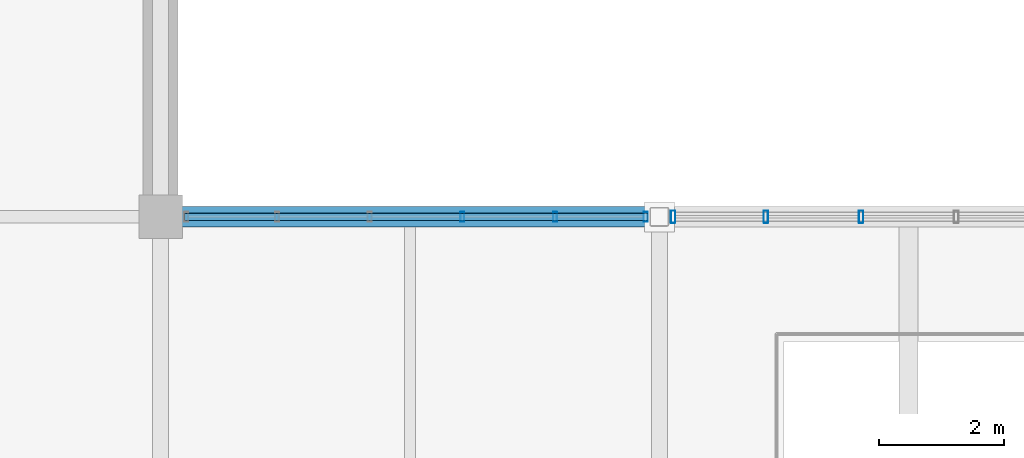
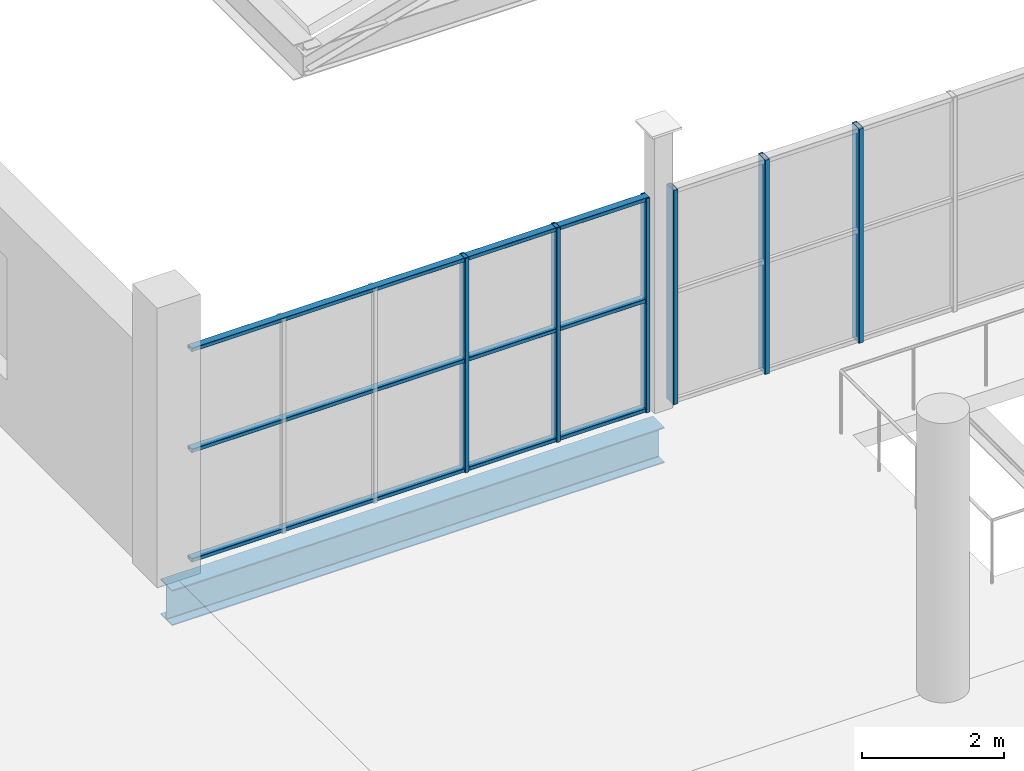
# One storey, part 22 of 114: 9 members, 1 beam, 2 elements without a shape of their own.
"""IFC4 building model written with IfcOpenShell, lengths in metres."""

import ifcopenshell
import ifcopenshell.guid

model = None  # the IFC model being written
_history = None  # IfcOwnerHistory: only IFC2X3 demands one
_inside = {}  # id of a spatial element -> (the spatial element, [elements in it])
_under = {}  # id of a project, library or spatial element -> (it, [spatial elements below it])
_declared = {}  # id of a project -> (the project, [libraries it declares])
_typed = {}  # id of a type object -> (the type object, [elements of that type])
_made_of = {}  # id of a material, layer set ... -> (it, [elements and type objects made of it])


def new_model(schema):
    """Start an empty IFC model of exactly this schema.

    Asked for "IFC4X3", IfcOpenShell would pick the latest addendum, in which some entities
    have other attributes; the version numbers below select the first issue.
    IFC2X3 requires an IfcOwnerHistory on every rooted entity: one is made here for all.
    """
    global model, _history
    if schema == "IFC4X3":
        model = ifcopenshell.file(schema_version=(4, 3, 0, 0))
    else:
        model = ifcopenshell.file(schema=schema)
    _inside.clear()
    _under.clear()
    _declared.clear()
    _typed.clear()
    _made_of.clear()
    _history = None
    if model.schema == "IFC2X3":
        org = make("IfcOrganization", Name="unknown")
        user = make(
            "IfcPersonAndOrganization",
            ThePerson=make("IfcPerson", FamilyName="unknown"),
            TheOrganization=org,
        )
        app = make(
            "IfcApplication",
            ApplicationDeveloper=org,
            Version="unknown",
            ApplicationFullName="unknown",
            ApplicationIdentifier="unknown",
        )
        _history = make(
            "IfcOwnerHistory",
            OwningUser=user,
            OwningApplication=app,
            ChangeAction="ADDED",
            CreationDate=0,
        )
    return model


def make(cls, **values):
    """One entity of the class cls with the attributes given. An attribute that is None is left unset."""
    return model.create_entity(
        cls, **{name: value for name, value in values.items() if value is not None}
    )


def rooted(cls, **values):
    """An entity with a GlobalId (a new one), such as an element, a storey or a relation."""
    return make(cls, GlobalId=ifcopenshell.guid.new(), OwnerHistory=_history, **values)


def si_unit(unit_type, name, prefix=None):
    """IfcSIUnit, for example si_unit("LENGTHUNIT", "METRE", prefix="MILLI")."""
    return make("IfcSIUnit", UnitType=unit_type, Prefix=prefix, Name=name)


def assignment(units):
    """IfcUnitAssignment: the units of a project."""
    return None if units is None else make("IfcUnitAssignment", Units=units)


def point(xyz):
    """IfcCartesianPoint."""
    return None if xyz is None else make("IfcCartesianPoint", Coordinates=xyz)


def direction(xyz):
    """IfcDirection."""
    return None if xyz is None else make("IfcDirection", DirectionRatios=xyz)


def frame(location, z_axis=None, x_axis=None):
    """IfcAxis2Placement3D, a coordinate frame: its origin and axes. An axis left out is left unset."""
    return make(
        "IfcAxis2Placement3D",
        Location=point(location),
        Axis=direction(z_axis),
        RefDirection=direction(x_axis),
    )


def frame_2d(location, x_axis=None):
    """IfcAxis2Placement2D, a coordinate frame in the plane: its origin and x axis."""
    return make(
        "IfcAxis2Placement2D", Location=point(location), RefDirection=direction(x_axis)
    )


def origin():
    """The frame at (0, 0, 0) with its axes left unset."""
    return frame((0.0, 0.0, 0.0))


def origin_2d():
    """The frame at (0, 0) in the plane with its x axis left unset."""
    return frame_2d((0.0, 0.0))


def place(relative_to, where):
    """IfcLocalPlacement: puts the frame where relative to a parent placement (None: the world)."""
    return make(
        "IfcLocalPlacement", PlacementRelTo=relative_to, RelativePlacement=where
    )


def context(
    kind, dimensions, precision=None, world=None, true_north=None, identifier=None
):
    """IfcGeometricRepresentationContext, for example the 3D "Model" context."""
    return make(
        "IfcGeometricRepresentationContext",
        ContextIdentifier=identifier,
        ContextType=kind,
        CoordinateSpaceDimension=dimensions,
        Precision=precision,
        WorldCoordinateSystem=world,
        TrueNorth=true_north,
    )


def subcontext(parent, identifier, kind, view, scale=None):
    """IfcGeometricRepresentationSubContext, for example "Body" below "Model"."""
    return make(
        "IfcGeometricRepresentationSubContext",
        ContextIdentifier=identifier,
        ContextType=kind,
        ParentContext=parent,
        TargetScale=scale,
        TargetView=view,
    )


def project(units=None, contexts=None):
    """IfcProject with its units and contexts."""
    return rooted(
        "IfcProject",
        Name="project",
        RepresentationContexts=contexts,
        UnitsInContext=assignment(units),
    )


def spatial(cls, under=None, at=None, **own):
    """A site, building, storey or space (cls), placed at a placement, below another one or the project."""
    s = rooted(cls, ObjectPlacement=at, **own)
    if under is not None:
        _under.setdefault(under.id(), (under, []))[1].append(s)
    return s


def profile(cls, at=None, kind="AREA", **sizes):
    """A parametric profile (cls). Its sizes go by their IFC names, for example OverallWidth=200.0."""
    return make(cls, ProfileType=kind, Position=at, **sizes)


def hollow_rectangle(**sizes):
    """IfcRectangleHollowProfileDef."""
    return profile("IfcRectangleHollowProfileDef", **sizes)


def i_section(**sizes):
    """IfcIShapeProfileDef."""
    return profile("IfcIShapeProfileDef", **sizes)


def extrude(swept, where, along, depth):
    """IfcExtrudedAreaSolid: the profile swept, set in the frame where, extruded along a direction by depth."""
    return make(
        "IfcExtrudedAreaSolid",
        SweptArea=swept,
        Position=where,
        ExtrudedDirection=direction(along),
        Depth=depth,
    )


def shape(context_of_items, identifier, shape_type, items):
    """IfcShapeRepresentation: the items that make up one representation, for example the "Body"."""
    return make(
        "IfcShapeRepresentation",
        ContextOfItems=context_of_items,
        RepresentationIdentifier=identifier,
        RepresentationType=shape_type,
        Items=items,
    )


def material(Name=None, Category=None):
    """IfcMaterial."""
    return make("IfcMaterial", Name=Name, Category=Category)


def material_profile(
    of_material, cross_section, Name=None, Category=None, Priority=None
):
    """IfcMaterialProfile: a cross section and its material."""
    return make(
        "IfcMaterialProfile",
        Name=Name,
        Material=of_material,
        Profile=cross_section,
        Priority=Priority,
        Category=Category,
    )


def profile_set(profiles, Name=None, composite=None):
    """IfcMaterialProfileSet."""
    return make(
        "IfcMaterialProfileSet",
        Name=Name,
        MaterialProfiles=profiles,
        CompositeProfile=composite,
    )


def made_of(thing, what):
    """Note that an element or type object is made of a material, layer set ...; save() writes the relation."""
    if what is not None:
        _made_of.setdefault(what.id(), (what, []))[1].append(thing)
    return thing


def type_object(cls, material=None, **own):
    """A type object (cls), such as IfcWallType, which elements share."""
    return made_of(rooted(cls, **own), material)


def element(
    cls,
    number,
    at=None,
    inside=None,
    cuts=None,
    type_object=None,
    material=None,
    context=None,
    identifier="Body",
    shape_type=None,
    held_by="IfcProductDefinitionShape",
    body=None,
    shapes=None,
    **own,
):
    """One element of the class cls, such as IfcWall. Its Tag is "e" and its number.

    at: its placement. inside: the storey or other place that contains it. cuts: it is an
    opening in that element (IfcRelVoidsElement). A single representation is given by context,
    identifier, shape_type and body (its items); several are given by shapes. held_by: the class
    of the entity that holds the representations. save() writes the other relations.
    """
    e = rooted(cls, Tag="e%d" % number, ObjectPlacement=at, **own)
    if body is not None:
        shapes = [shape(context, identifier, shape_type, body)]
    if shapes is not None:
        e.Representation = make(held_by, Representations=shapes)
    if inside is not None:
        _inside.setdefault(inside.id(), (inside, []))[1].append(e)
    if cuts is not None:
        rooted(
            "IfcRelVoidsElement", RelatingBuildingElement=cuts, RelatedOpeningElement=e
        )
    if type_object is not None:
        _typed.setdefault(type_object.id(), (type_object, []))[1].append(e)
    return made_of(e, material)


def aggregate(whole, parts):
    """IfcRelAggregates: a whole, such as a stair, and the parts it consists of."""
    return rooted("IfcRelAggregates", RelatingObject=whole, RelatedObjects=parts)


def save(model, path):
    """Write the relations noted so far, then the file.

    IfcRelAggregates (storeys below a building ...), IfcRelContainedInSpatialStructure (elements
    in a storey), IfcRelDefinesByType, IfcRelAssociatesMaterial and IfcRelDeclares: one each for
    every whole, place, type object, material and project.
    """
    for whole, parts in _under.values():
        aggregate(whole, parts)
    for where, things in _inside.values():
        rooted(
            "IfcRelContainedInSpatialStructure",
            RelatedElements=things,
            RelatingStructure=where,
        )
    for kind, things in _typed.values():
        rooted("IfcRelDefinesByType", RelatedObjects=things, RelatingType=kind)
    for what, things in _made_of.values():
        rooted("IfcRelAssociatesMaterial", RelatedObjects=things, RelatingMaterial=what)
    for by, libraries in _declared.values():
        rooted("IfcRelDeclares", RelatingContext=by, RelatedDefinitions=libraries)
    model.write(path)


model = new_model("IFC4")

# Units and contexts
model_context = context("Model", 3, precision=1e-05, world=origin(), true_north=direction((0.0, 1.0)))
body_context = subcontext(model_context, "Body", "Model", "MODEL_VIEW")
ifc_project = project(units=[si_unit("LENGTHUNIT", "METRE"), si_unit("AREAUNIT", "SQUARE_METRE"), si_unit("VOLUMEUNIT", "CUBIC_METRE"), si_unit("PLANEANGLEUNIT", "RADIAN"), si_unit("MASSUNIT", "GRAM", prefix="KILO")], contexts=[model_context])

# Site, building, storey
site_placement = place(None, origin())
site = spatial("IfcSite", under=ifc_project, at=site_placement, CompositionType="ELEMENT")
building_placement = place(site_placement, origin())
building = spatial("IfcBuilding", under=site, at=building_placement, Name="Verrall Gate Interchange", CompositionType="ELEMENT")
storey_placement = place(building_placement, frame((0.0, 0.0, 6.60009765625)))
storey = spatial("IfcBuildingStorey", under=building, at=storey_placement, Name="L02", CompositionType="ELEMENT", Elevation=6.60009765625)

# Beam
ifc_material_1 = material(Name="Structural Steel CSA G40.21 350WT Cat 4", Category="steel")
ifc_material_profile_1 = material_profile(ifc_material_1, i_section(OverallWidth=0.323974609375, OverallDepth=0.611083984375, WebThickness=0.0126953125, FlangeThickness=0.01904296875, FilletRadius=0.014892578125, at=origin_2d()), Name="W610x155")
ifc_profile_set_1 = profile_set([ifc_material_profile_1], Name="Structural Steel CSA G40.21 350WT Cat 4")
beam_type = type_object("IfcBeamType", Name="B-08 Structural Beam W610x155", PredefinedType="BEAM", material=ifc_profile_set_1)
beam_placement = place(storey_placement, frame((36.0, 56.0, -0.585693359375), z_axis=(1.0, 0.0, 0.0), x_axis=(0.0, 1.0, 0.0)))
element("IfcBeam", 1, at=beam_placement, inside=storey, type_object=beam_type, Name="L02 Girder BM-L02-1592 (B-08)", PredefinedType="BEAM", context=body_context, shape_type="SweptSolid", body=[
    extrude(i_section(OverallWidth=0.323974609375, OverallDepth=0.611083984375, WebThickness=0.0126953125, FlangeThickness=0.01904296875, FilletRadius=0.014892578125, at=origin_2d()), origin(), (0.0, 0.0, 1.0), 8.0),
])

# Curtain wall, members
ifc_material_2 = material(Name="Thermally Broken Anodized Aluminium Curtain Wall Framing", Category="aluminium")
curtain_wall_type_1 = type_object("IfcCurtainWallType", Name="CW-22 Unitized Curtain Wall 7434x3680", PredefinedType="NOTDEFINED", material=ifc_material_2)
curtain_wall_1_placement = place(storey_placement, origin())
curtain_wall_1 = element("IfcCurtainWall", 2, at=curtain_wall_1_placement, inside=storey, type_object=curtain_wall_type_1, Name="L02 Unitized Curtain Wall CW-L02-084", PredefinedType="NOTDEFINED")
ifc_material_3 = material(Name="Thermally Broken Anodized Aluminium Curtain Wall Framing", Category="aluminium")
ifc_material_profile_2 = material_profile(ifc_material_3, hollow_rectangle(XDim=0.06494140625, YDim=0.159912109375, WallThickness=0.00390625, InnerFilletRadius=0.00390625, OuterFilletRadius=0.008056640625, at=origin_2d()), Name="CWM160x65x4")
ifc_profile_set_2 = profile_set([ifc_material_profile_2], Name="Thermally Broken Anodized Aluminium Curtain Wall Framing")
member_type_1 = type_object("IfcMemberType", Name="CM-01 Curtain Mullion CWM160x65x4", PredefinedType="MULLION", material=ifc_profile_set_2)
member_1_placement = place(storey_placement, frame((43.782958984375, 56.0, 0.0), z_axis=(0.0, 0.0, 1.0), x_axis=(-1.0, 0.0, 0.0)))
member_1 = element("IfcMember", 3, at=member_1_placement, type_object=member_type_1, Name="CW-L02-084 Mullion 1", PredefinedType="MULLION", context=body_context, shape_type="SweptSolid", body=[
    extrude(hollow_rectangle(XDim=0.06494140625, YDim=0.159912109375, WallThickness=0.00390625, InnerFilletRadius=0.00390625, OuterFilletRadius=0.008056640625, at=origin_2d()), origin(), (0.0, 0.0, 1.0), 3.679931640625),
])
member_2_placement = place(storey_placement, frame((42.328857421875, 56.0, 0.0), z_axis=(0.0, 0.0, 1.0), x_axis=(-1.0, 0.0, 0.0)))
member_2 = element("IfcMember", 4, at=member_2_placement, type_object=member_type_1, Name="CW-L02-084 Mullion 2", PredefinedType="MULLION", context=body_context, shape_type="SweptSolid", body=[
    extrude(hollow_rectangle(XDim=0.06494140625, YDim=0.159912109375, WallThickness=0.00390625, InnerFilletRadius=0.00390625, OuterFilletRadius=0.008056640625, at=origin_2d()), origin(), (0.0, 0.0, 1.0), 3.679931640625),
])
member_3_placement = place(storey_placement, frame((40.842041015625, 56.0, 0.0), z_axis=(0.0, 0.0, 1.0), x_axis=(-1.0, 0.0, 0.0)))
member_3 = element("IfcMember", 5, at=member_3_placement, type_object=member_type_1, Name="CW-L02-084 Mullion 3", PredefinedType="MULLION", context=body_context, shape_type="SweptSolid", body=[
    extrude(hollow_rectangle(XDim=0.06494140625, YDim=0.159912109375, WallThickness=0.00390625, InnerFilletRadius=0.00390625, OuterFilletRadius=0.008056640625, at=origin_2d()), origin(), (0.0, 0.0, 1.0), 3.679931640625),
])

ifc_material_4 = material(Name="Thermally Broken Anodized Aluminium Curtain Wall Framing", Category="aluminium")
curtain_wall_type_2 = type_object("IfcCurtainWallType", Name="CW-21 Unitized Curtain Wall 7631x3680", PredefinedType="NOTDEFINED", material=ifc_material_4)
curtain_wall_2_placement = place(storey_placement, origin())
curtain_wall_2 = element("IfcCurtainWall", 6, at=curtain_wall_2_placement, inside=storey, type_object=curtain_wall_type_2, Name="L02 Unitized Curtain Wall CW-L02-083", PredefinedType="NOTDEFINED")
ifc_material_5 = material(Name="Thermally Broken Anodized Aluminium Curtain Wall Framing", Category="aluminium")
ifc_material_profile_3 = material_profile(ifc_material_5, hollow_rectangle(XDim=0.074951171875, YDim=0.199951171875, WallThickness=0.0048828125, InnerFilletRadius=0.0048828125, OuterFilletRadius=0.010009765625, at=origin_2d()), Name="CWM200x75x5")
ifc_profile_set_3 = profile_set([ifc_material_profile_3], Name="Thermally Broken Anodized Aluminium Curtain Wall Framing")
member_type_2 = type_object("IfcMemberType", Name="CM-02 Curtain Mullion CWM200x75x5", PredefinedType="MULLION", material=ifc_profile_set_3)
member_4_placement = place(storey_placement, frame((47.23681640625, 56.0, 0.0), z_axis=(0.0, 0.0, 1.0), x_axis=(-1.0, 0.0, 0.0)))
member_4 = element("IfcMember", 7, at=member_4_placement, type_object=member_type_2, Name="CW-L02-083 Mullion 4", PredefinedType="MULLION", context=body_context, shape_type="SweptSolid", body=[
    extrude(hollow_rectangle(XDim=0.074951171875, YDim=0.199951171875, WallThickness=0.0048828125, InnerFilletRadius=0.0048828125, OuterFilletRadius=0.010009765625, at=origin_2d()), origin(), (0.0, 0.0, 1.0), 3.679931640625),
])
member_5_placement = place(storey_placement, frame((45.710693359375, 56.0, 0.0), z_axis=(0.0, 0.0, 1.0), x_axis=(-1.0, 0.0, 0.0)))
member_5 = element("IfcMember", 8, at=member_5_placement, type_object=member_type_2, Name="CW-L02-083 Mullion 5", PredefinedType="MULLION", context=body_context, shape_type="SweptSolid", body=[
    extrude(hollow_rectangle(XDim=0.074951171875, YDim=0.199951171875, WallThickness=0.0048828125, InnerFilletRadius=0.0048828125, OuterFilletRadius=0.010009765625, at=origin_2d()), origin(), (0.0, 0.0, 1.0), 3.679931640625),
])
member_6_placement = place(storey_placement, frame((44.221923828125, 56.0, 0.0), z_axis=(0.0, 0.0, 1.0), x_axis=(-1.0, 0.0, 0.0)))
member_6 = element("IfcMember", 9, at=member_6_placement, type_object=member_type_2, Name="CW-L02-083 Mullion 6", PredefinedType="MULLION", context=body_context, shape_type="SweptSolid", body=[
    extrude(hollow_rectangle(XDim=0.074951171875, YDim=0.199951171875, WallThickness=0.0048828125, InnerFilletRadius=0.0048828125, OuterFilletRadius=0.010009765625, at=origin_2d()), origin(), (0.0, 0.0, 1.0), 3.679931640625),
])
aggregate(curtain_wall_2, [member_4, member_5, member_6])

# Member
ifc_material_6 = material(Name="Thermally Broken Anodized Aluminium Curtain Wall Framing", Category="aluminium")
ifc_material_profile_4 = material_profile(ifc_material_6, hollow_rectangle(XDim=0.1201171875, YDim=0.06494140625, WallThickness=0.00390625, InnerFilletRadius=0.00390625, OuterFilletRadius=0.008056640625, at=origin_2d()), Name="CWT120x65x4")
ifc_profile_set_4 = profile_set([ifc_material_profile_4], Name="Thermally Broken Anodized Aluminium Curtain Wall Framing")
member_type_3 = type_object("IfcMemberType", Name="CT-01 Curtain Transom CWT120x65x4", PredefinedType="USERDEFINED", material=ifc_profile_set_4)
member_7_placement = place(storey_placement, frame((43.8154296875, 56.0, 0.032470703125), z_axis=(-1.0, 0.0, 0.0), x_axis=(0.0, -1.0, 0.0)))
member_7 = element("IfcMember", 10, at=member_7_placement, type_object=member_type_3, Name="CW-L02-084 Transom 1", ObjectType="TRANSOM", PredefinedType="USERDEFINED", context=body_context, shape_type="SweptSolid", body=[
    extrude(hollow_rectangle(XDim=0.1201171875, YDim=0.06494140625, WallThickness=0.00390625, InnerFilletRadius=0.00390625, OuterFilletRadius=0.008056640625, at=origin_2d()), origin(), (0.0, 0.0, 1.0), 7.433349609375),
])

member_8_placement = place(storey_placement, frame((43.8154296875, 56.0, 1.91357421875), z_axis=(-1.0, 0.0, 0.0), x_axis=(0.0, -1.0, 0.0)))
member_8 = element("IfcMember", 11, at=member_8_placement, type_object=member_type_3, Name="CW-L02-084 Transom 2", ObjectType="TRANSOM", PredefinedType="USERDEFINED", context=body_context, shape_type="SweptSolid", body=[
    extrude(hollow_rectangle(XDim=0.1201171875, YDim=0.06494140625, WallThickness=0.00390625, InnerFilletRadius=0.00390625, OuterFilletRadius=0.008056640625, at=origin_2d()), origin(), (0.0, 0.0, 1.0), 7.433349609375),
])

member_9_placement = place(storey_placement, frame((43.8154296875, 56.0, 3.6474609375), z_axis=(-1.0, 0.0, 0.0), x_axis=(0.0, -1.0, 0.0)))
member_9 = element("IfcMember", 12, at=member_9_placement, type_object=member_type_3, Name="CW-L02-084 Transom 3", ObjectType="TRANSOM", PredefinedType="USERDEFINED", context=body_context, shape_type="SweptSolid", body=[
    extrude(hollow_rectangle(XDim=0.1201171875, YDim=0.06494140625, WallThickness=0.00390625, InnerFilletRadius=0.00390625, OuterFilletRadius=0.008056640625, at=origin_2d()), origin(), (0.0, 0.0, 1.0), 7.433349609375),
])

aggregate(curtain_wall_1, [member_1, member_2, member_3, member_7, member_8, member_9])

save(model, "model.ifc")
